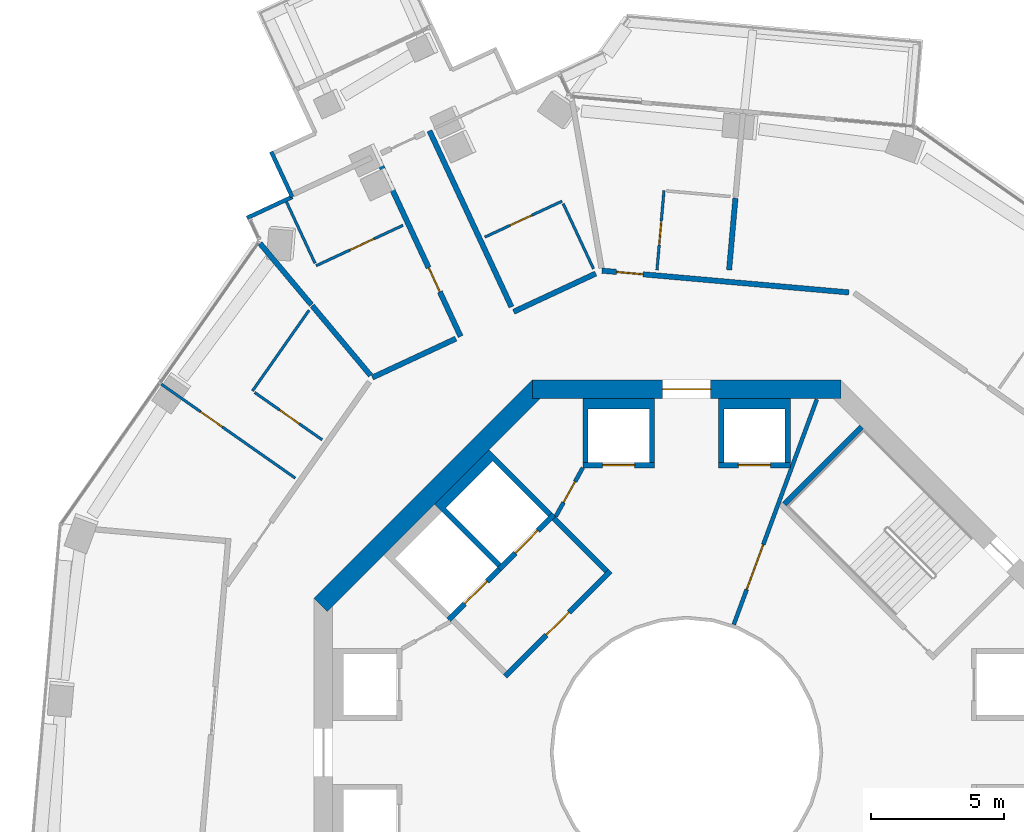
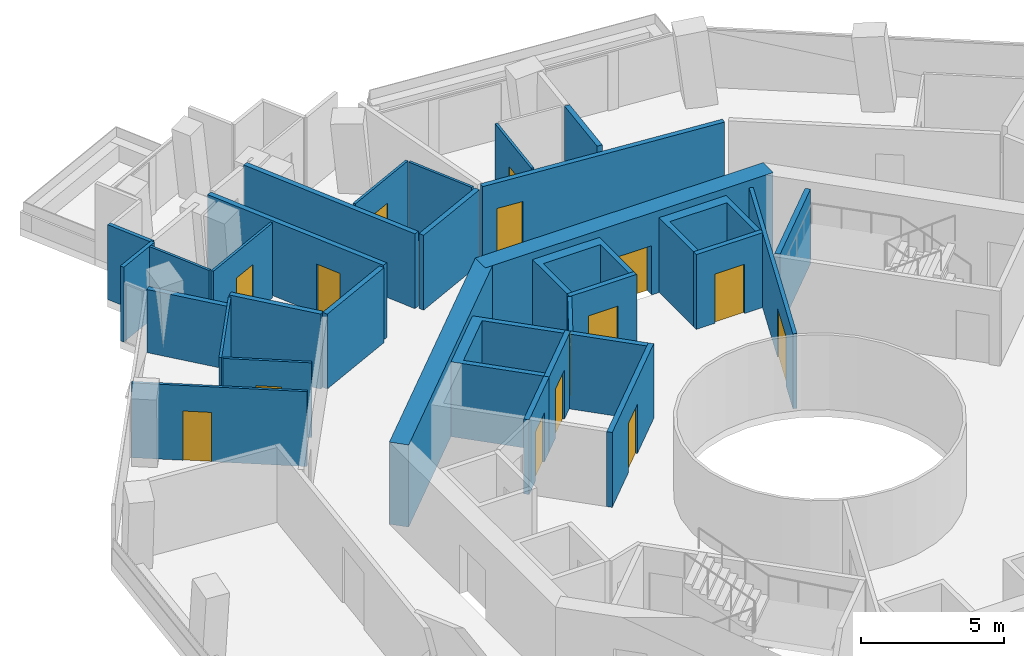
# One storey, part 18 of 23: 32 walls, 15 doors, 15 openings.
"""IFC4 building model written with IfcOpenShell, lengths in metres."""

from ifc_helpers import new_model, si_unit, direction, frame, frame_2d, origin, place, context, subcontext, project, spatial, polyline, rectangle, outline, extrude, material, layer, layer_set, type_object, element, fill, save


model = new_model("IFC4")

# Units and contexts
model_context = context("Model", 3, precision=1e-05, world=origin(), true_north=direction((0.0, 1.0)))
body_context = subcontext(model_context, "Body", "Model", "MODEL_VIEW")
ifc_project = project(units=[si_unit("LENGTHUNIT", "METRE"), si_unit("AREAUNIT", "SQUARE_METRE"), si_unit("VOLUMEUNIT", "CUBIC_METRE"), si_unit("PLANEANGLEUNIT", "RADIAN"), si_unit("MASSUNIT", "GRAM", prefix="KILO")], contexts=[model_context])

# Site, building, storey
site_placement = place(None, origin())
site = spatial("IfcSite", under=ifc_project, at=site_placement, CompositionType="ELEMENT")
building_placement = place(site_placement, origin())
building = spatial("IfcBuilding", under=site, at=building_placement, Name="Verdalira Terraces Hotel", CompositionType="ELEMENT")
storey_placement = place(building_placement, frame((0.0, 0.0, 136.5)))
storey = spatial("IfcBuildingStorey", under=building, at=storey_placement, Name="L32", CompositionType="ELEMENT", Elevation=136.5)

# Wall, opening, door
ifc_material_1 = material(Name="Moisture-resistant gypsum board partition")
ifc_layer_1 = layer(ifc_material_1, 0.10009765625)
ifc_layer_set_1 = layer_set([ifc_layer_1], Name="Bathroom partition 100 mm")
wall_type_1 = type_object("IfcWallType", Name="Bathroom partition 100 mm", PredefinedType="PARTITIONING", material=ifc_layer_set_1)
wall_1_placement = place(storey_placement, frame((-19.73877, 13.841797, 0.0), z_axis=(0.0, 0.0, 1.0), x_axis=(0.818756071, -0.57414153, 0.0)))
wall_1 = element("IfcWall", 1, at=wall_1_placement, inside=storey, type_object=wall_type_1, Name="Bathroom partition", PredefinedType="PARTITIONING", context=body_context, shape_type="SweptSolid", body=[
    extrude(rectangle(XDim=6.150146, YDim=0.100098, at=frame_2d((3.075195, 0.0))), origin(), (0.0, 0.0, 1.0), 3.189941),
])
opening_1_placement = place(wall_1_placement, frame((1.800049, 0.0, 0.0)))
opening_1 = element("IfcOpeningElement", 2, at=opening_1_placement, cuts=wall_1, Name="Opening L32-107", PredefinedType="OPENING", context=body_context, shape_type="SweptSolid", body=[
    extrude(rectangle(XDim=1.0, YDim=2.100098, at=frame_2d((0.5, 1.050049))), frame((0.0, 0.060059, 0.0), z_axis=(0.0, -1.0, 0.0), x_axis=(1.0, 0.0, 0.0)), (0.0, 0.0, 1.0), 0.120117),
])
ifc_material_2 = material(Name="Timber door", Category="wood")
door_type_1 = type_object("IfcDoorType", Name="Suite internal door 1000 x 2100", OperationType="NOTDEFINED", PredefinedType="DOOR", material=ifc_material_2)
door_1_placement = place(opening_1_placement, origin())
door_1 = element("IfcDoor", 3, at=door_1_placement, inside=storey, type_object=door_type_1, Name="Suite internal door 3203", OperationType="SINGLE_SWING_LEFT", OverallHeight=2.10009765625, OverallWidth=1.0, PredefinedType="DOOR", context=body_context, shape_type="SweptSolid", body=[
    extrude(rectangle(XDim=1.0, YDim=2.100098, at=frame_2d((0.5, 1.050049))), frame((0.0, 0.024902, 0.0), z_axis=(0.0, -1.0, 0.0), x_axis=(1.0, 0.0, 0.0)), (0.0, 0.0, 1.0), 0.050049),
])
fill(opening_1, door_1)

# Wall
wall_2_placement = place(storey_placement, frame((-14.187256, 16.620361, 0.0), z_axis=(0.0, 0.0, 1.0), x_axis=(-0.574152218, -0.818748576, 0.0)))
element("IfcWall", 4, at=wall_2_placement, inside=storey, type_object=wall_type_1, Name="Bathroom partition", PredefinedType="PARTITIONING", context=body_context, shape_type="SweptSolid", body=[
    extrude(rectangle(XDim=3.704102, YDim=0.100098, at=frame_2d((1.852051, 0.0))), origin(), (0.0, 0.0, 1.0), 3.189941),
])

# Wall, opening, door
wall_3_placement = place(storey_placement, frame((-16.231934, 13.530273, 0.0), z_axis=(0.0, 0.0, 1.0), x_axis=(0.818758042, -0.574138719, 0.0)))
wall_3 = element("IfcWall", 5, at=wall_3_placement, inside=storey, type_object=wall_type_1, Name="Bathroom partition", PredefinedType="PARTITIONING", context=body_context, shape_type="SweptSolid", body=[
    extrude(rectangle(XDim=3.099854, YDim=0.100098, at=frame_2d((1.549805, 0.0))), origin(), (0.0, 0.0, 1.0), 3.189941),
])
opening_2_placement = place(wall_3_placement, frame((1.149902, 0.0, 0.0)))
opening_2 = element("IfcOpeningElement", 6, at=opening_2_placement, cuts=wall_3, Name="Opening L32-108", PredefinedType="OPENING", context=body_context, shape_type="SweptSolid", body=[
    extrude(rectangle(XDim=0.899902, YDim=2.100098, at=frame_2d((0.449951, 1.050049))), frame((0.0, 0.060059, 0.0), z_axis=(0.0, -1.0, 0.0), x_axis=(1.0, 0.0, 0.0)), (0.0, 0.0, 1.0), 0.120117),
])
ifc_material_3 = material(Name="Timber door", Category="wood")
door_type_2 = type_object("IfcDoorType", Name="Bathroom door 900 x 2100", OperationType="NOTDEFINED", PredefinedType="DOOR", material=ifc_material_3)
door_2_placement = place(opening_2_placement, origin())
door_2 = element("IfcDoor", 7, at=door_2_placement, inside=storey, type_object=door_type_2, Name="Bathroom door 3203", OperationType="SINGLE_SWING_LEFT", OverallHeight=2.10009765625, OverallWidth=0.89990234375, PredefinedType="DOOR", context=body_context, shape_type="SweptSolid", body=[
    extrude(rectangle(XDim=0.899902, YDim=2.100098, at=frame_2d((0.449951, 1.050049))), frame((0.0, 0.024902, 0.0), z_axis=(0.0, -1.0, 0.0), x_axis=(1.0, 0.0, 0.0)), (0.0, 0.0, 1.0), 0.050049),
])
fill(opening_2, door_2)

# Wall
wall_4_placement = place(storey_placement, frame((-13.96167, 18.383789, 0.0), z_axis=(0.0, 0.0, 1.0), x_axis=(-0.421952243, 0.906618059, 0.0)))
element("IfcWall", 8, at=wall_4_placement, inside=storey, type_object=wall_type_1, Name="Bathroom partition", PredefinedType="PARTITIONING", context=body_context, shape_type="SweptSolid", body=[
    extrude(rectangle(XDim=2.549805, YDim=0.100098, at=frame_2d((1.274902, 0.0))), origin(), (0.0, 0.0, 1.0), 3.189941),
])

# Wall, opening, door
wall_5_placement = place(storey_placement, frame((-13.919434, 18.293213, 0.0), z_axis=(0.0, 0.0, 1.0), x_axis=(0.906608902, 0.421971917, 0.0)))
wall_5 = element("IfcWall", 9, at=wall_5_placement, inside=storey, type_object=wall_type_1, Name="Bathroom partition", PredefinedType="PARTITIONING", context=body_context, shape_type="SweptSolid", body=[
    extrude(rectangle(XDim=3.599854, YDim=0.100098, at=frame_2d((1.799805, 0.0))), origin(), (0.0, 0.0, 1.0), 3.189941),
])
opening_3_placement = place(wall_5_placement, frame((1.399902, 0.0, 0.0)))
opening_3 = element("IfcOpeningElement", 10, at=opening_3_placement, cuts=wall_5, Name="Opening L32-105", PredefinedType="OPENING", context=body_context, shape_type="SweptSolid", body=[
    extrude(rectangle(XDim=1.0, YDim=2.100098, at=frame_2d((0.5, 1.050049))), frame((0.0, 0.060059, 0.0), z_axis=(0.0, -1.0, 0.0), x_axis=(1.0, 0.0, 0.0)), (0.0, 0.0, 1.0), 0.120117),
])
ifc_material_4 = material(Name="Timber door", Category="wood")
door_type_3 = type_object("IfcDoorType", Name="Bathroom door 1000 x 2100", OperationType="NOTDEFINED", PredefinedType="DOOR", material=ifc_material_4)
door_3_placement = place(opening_3_placement, origin())
door_3 = element("IfcDoor", 11, at=door_3_placement, inside=storey, type_object=door_type_3, Name="Bathroom door 3202", OperationType="SINGLE_SWING_LEFT", OverallHeight=2.10009765625, OverallWidth=1.0, PredefinedType="DOOR", context=body_context, shape_type="SweptSolid", body=[
    extrude(rectangle(XDim=1.0, YDim=2.100098, at=frame_2d((0.5, 1.050049))), frame((0.0, 0.024902, 0.0), z_axis=(0.0, -1.0, 0.0), x_axis=(1.0, 0.0, 0.0)), (0.0, 0.0, 1.0), 0.050049),
])
fill(opening_3, door_3)

wall_6_placement = place(storey_placement, frame((-4.679932, 20.718506, 0.0), z_axis=(0.0, 0.0, 1.0), x_axis=(-0.906603701, -0.421983091, 0.0)))
wall_6 = element("IfcWall", 12, at=wall_6_placement, inside=storey, type_object=wall_type_1, Name="Bathroom partition", PredefinedType="PARTITIONING", context=body_context, shape_type="SweptSolid", body=[
    extrude(rectangle(XDim=3.199951, YDim=0.100098, at=frame_2d((1.600098, 0.0))), origin(), (0.0, 0.0, 1.0), 3.189941),
])
opening_4_placement = place(wall_6_placement, frame((1.25, 0.0, 0.0)))
opening_4 = element("IfcOpeningElement", 13, at=opening_4_placement, cuts=wall_6, Name="Opening L32-103", PredefinedType="OPENING", context=body_context, shape_type="SweptSolid", body=[
    extrude(rectangle(XDim=0.899902, YDim=2.100098, at=frame_2d((0.449951, 1.050049))), frame((0.0, 0.060059, 0.0), z_axis=(0.0, -1.0, 0.0), x_axis=(1.0, 0.0, 0.0)), (0.0, 0.0, 1.0), 0.120117),
])
door_4_placement = place(opening_4_placement, origin())
door_4 = element("IfcDoor", 14, at=door_4_placement, inside=storey, type_object=door_type_2, Name="Bathroom door 3201", OperationType="SINGLE_SWING_LEFT", OverallHeight=2.10009765625, OverallWidth=0.89990234375, PredefinedType="DOOR", context=body_context, shape_type="SweptSolid", body=[
    extrude(rectangle(XDim=0.899902, YDim=2.100098, at=frame_2d((0.449951, 1.050049))), frame((0.0, 0.024902, 0.0), z_axis=(0.0, -1.0, 0.0), x_axis=(1.0, 0.0, 0.0)), (0.0, 0.0, 1.0), 0.050049),
])
fill(opening_4, door_4)

# Wall
wall_7_placement = place(storey_placement, frame((-3.498291, 18.179932, 0.0), z_axis=(0.0, 0.0, 1.0), x_axis=(-0.422009078, 0.906591605, 0.0)))
element("IfcWall", 15, at=wall_7_placement, inside=storey, type_object=wall_type_1, Name="Bathroom partition", PredefinedType="PARTITIONING", context=body_context, shape_type="SweptSolid", body=[
    extrude(rectangle(XDim=2.699951, YDim=0.100098, at=frame_2d((1.350098, 0.0))), origin(), (0.0, 0.0, 1.0), 3.189941),
])

# Wall, opening, door
wall_8_placement = place(storey_placement, frame((-0.848389, 21.114502, 0.0), z_axis=(0.0, 0.0, 1.0), x_axis=(-0.087813055, -0.996136972, 0.0)))
wall_8 = element("IfcWall", 16, at=wall_8_placement, inside=storey, type_object=wall_type_1, Name="Bathroom partition", PredefinedType="PARTITIONING", context=body_context, shape_type="SweptSolid", body=[
    extrude(rectangle(XDim=2.999756, YDim=0.100098, at=frame_2d((1.5, 0.0))), origin(), (0.0, 0.0, 1.0), 3.189941),
])
opening_5_placement = place(wall_8_placement, frame((1.149902, 0.0, 0.0)))
opening_5 = element("IfcOpeningElement", 17, at=opening_5_placement, cuts=wall_8, Name="Opening L32-132", PredefinedType="OPENING", context=body_context, shape_type="SweptSolid", body=[
    extrude(rectangle(XDim=0.899902, YDim=2.100098, at=frame_2d((0.449951, 1.050049))), frame((0.0, 0.060059, 0.0), z_axis=(0.0, -1.0, 0.0), x_axis=(1.0, 0.0, 0.0)), (0.0, 0.0, 1.0), 0.120117),
])
door_5_placement = place(opening_5_placement, origin())
door_5 = element("IfcDoor", 18, at=door_5_placement, inside=storey, type_object=door_type_2, Name="Bathroom door 3212", OperationType="SINGLE_SWING_LEFT", OverallHeight=2.10009765625, OverallWidth=0.89990234375, PredefinedType="DOOR", context=body_context, shape_type="SweptSolid", body=[
    extrude(rectangle(XDim=0.899902, YDim=2.100098, at=frame_2d((0.449951, 1.050049))), frame((0.0, 0.024902, 0.0), z_axis=(0.0, -1.0, 0.0), x_axis=(1.0, 0.0, 0.0)), (0.0, 0.0, 1.0), 0.050049),
])
fill(opening_5, door_5)

# Wall
ifc_material_5 = material(Name="Concrete C50", Category="concrete")
ifc_layer_2 = layer(ifc_material_5, 0.199951171875)
ifc_layer_set_2 = layer_set([ifc_layer_2], Name="Core RC wall 200 C50")
wall_type_2 = type_object("IfcWallType", Name="Core RC wall 200 C50", PredefinedType="SOLIDWALL", material=ifc_layer_set_2)
wall_9_placement = place(storey_placement, origin())
element("IfcWall", 19, at=wall_9_placement, inside=storey, type_object=wall_type_2, Name="L32 shaft wall N1", PredefinedType="SOLIDWALL", context=body_context, shape_type="SweptSolid", body=[
    extrude(outline(polyline([(3.899902, 13.300049), (3.899902, 10.899902), (3.699951, 10.899902), (3.699951, 12.899902), (1.399902, 12.899902), (1.399902, 10.899902), (1.199951, 10.899902), (1.199951, 13.300049), (3.899902, 13.300049)])), origin(), (0.0, 0.0, 1.0), 3.189941),
])

# Wall, opening, door
wall_10_placement = place(storey_placement, frame((1.199951, 10.800049, 0.0), z_axis=(0.0, 0.0, 1.0), x_axis=(1.0, 0.0, 0.0)))
wall_10 = element("IfcWall", 20, at=wall_10_placement, inside=storey, type_object=wall_type_2, Name="L32 shaft front wall N1", PredefinedType="SOLIDWALL", context=body_context, shape_type="SweptSolid", body=[
    extrude(rectangle(XDim=2.699951, YDim=0.199951, at=frame_2d((1.350098, 0.0))), origin(), (0.0, 0.0, 1.0), 3.189941),
])
opening_6_placement = place(wall_10_placement, frame((0.75, 0.0, 0.0)))
opening_6 = element("IfcOpeningElement", 21, at=opening_6_placement, cuts=wall_10, Name="Opening LD-L32-803", PredefinedType="OPENING", context=body_context, shape_type="SweptSolid", body=[
    extrude(rectangle(XDim=1.199951, YDim=2.100098, at=frame_2d((0.600098, 1.050049))), frame((0.0, 0.109863, 0.0), z_axis=(0.0, -1.0, 0.0), x_axis=(1.0, 0.0, 0.0)), (0.0, 0.0, 1.0), 0.219971),
])
ifc_material_6 = material(Name="Stainless steel", Category="steel")
door_type_4 = type_object("IfcDoorType", Name="Landing door 1200 x 2100", OperationType="NOTDEFINED", PredefinedType="DOOR", material=ifc_material_6)
door_6_placement = place(opening_6_placement, origin())
door_6 = element("IfcDoor", 22, at=door_6_placement, inside=storey, type_object=door_type_4, Name="Lift landing door LR3 L32", OperationType="DOUBLE_DOOR_SLIDING", OverallHeight=2.10009765625, OverallWidth=1.199951171875, PredefinedType="DOOR", context=body_context, shape_type="SweptSolid", body=[
    extrude(rectangle(XDim=1.199951, YDim=2.100098, at=frame_2d((0.600098, 1.050049))), frame((0.0, 0.024902, 0.0), z_axis=(0.0, -1.0, 0.0), x_axis=(1.0, 0.0, 0.0)), (0.0, 0.0, 1.0), 0.050049),
])
fill(opening_6, door_6)

# Wall
wall_11_placement = place(storey_placement, origin())
element("IfcWall", 23, at=wall_11_placement, inside=storey, type_object=wall_type_2, Name="L32 shaft wall N2", PredefinedType="SOLIDWALL", context=body_context, shape_type="SweptSolid", body=[
    extrude(outline(polyline([(-3.899902, 10.899902), (-3.899902, 13.300049), (-1.199951, 13.300049), (-1.199951, 10.899902), (-1.399902, 10.899902), (-1.399902, 12.899902), (-3.699951, 12.899902), (-3.699951, 10.899902), (-3.899902, 10.899902)])), origin(), (0.0, 0.0, 1.0), 3.189941),
])

# Wall, opening, door
wall_12_placement = place(storey_placement, frame((-1.199951, 10.800049, 0.0), z_axis=(0.0, 0.0, 1.0), x_axis=(-1.0, 0.0, 0.0)))
wall_12 = element("IfcWall", 24, at=wall_12_placement, inside=storey, type_object=wall_type_2, Name="L32 shaft front wall N2", PredefinedType="SOLIDWALL", context=body_context, shape_type="SweptSolid", body=[
    extrude(rectangle(XDim=2.699951, YDim=0.199951, at=frame_2d((1.350098, 0.0))), origin(), (0.0, 0.0, 1.0), 3.189941),
])
opening_7_placement = place(wall_12_placement, frame((0.75, 0.0, 0.0)))
opening_7 = element("IfcOpeningElement", 25, at=opening_7_placement, cuts=wall_12, Name="Opening LD-L32-804", PredefinedType="OPENING", context=body_context, shape_type="SweptSolid", body=[
    extrude(rectangle(XDim=1.199951, YDim=2.100098, at=frame_2d((0.600098, 1.050049))), frame((0.0, 0.109863, 0.0), z_axis=(0.0, -1.0, 0.0), x_axis=(1.0, 0.0, 0.0)), (0.0, 0.0, 1.0), 0.219971),
])
door_7_placement = place(opening_7_placement, origin())
door_7 = element("IfcDoor", 26, at=door_7_placement, inside=storey, type_object=door_type_4, Name="Lift landing door LR4 L32", OperationType="DOUBLE_DOOR_SLIDING", OverallHeight=2.10009765625, OverallWidth=1.199951171875, PredefinedType="DOOR", context=body_context, shape_type="SweptSolid", body=[
    extrude(rectangle(XDim=1.199951, YDim=2.100098, at=frame_2d((0.600098, 1.050049))), frame((0.0, 0.024902, 0.0), z_axis=(0.0, -1.0, 0.0), x_axis=(1.0, 0.0, 0.0)), (0.0, 0.0, 1.0), 0.050049),
])
fill(opening_7, door_7)

# Wall
wall_13_placement = place(storey_placement, origin())
element("IfcWall", 27, at=wall_13_placement, inside=storey, type_object=wall_type_2, Name="L32 shaft wall F1", PredefinedType="SOLIDWALL", context=body_context, shape_type="SweptSolid", body=[
    extrude(outline(polyline([(-9.475098, 9.33374), (-7.424561, 11.384521), (-5.055908, 9.015625), (-5.197266, 8.874268), (-7.283203, 10.960205), (-9.051025, 9.192383), (-6.965088, 7.106445), (-7.106445, 6.965088), (-9.475098, 9.33374)])), origin(), (0.0, 0.0, 1.0), 3.189941),
])

# Wall, opening, door
wall_14_placement = place(storey_placement, frame((-4.985107, 8.944824, 0.0), z_axis=(0.0, 0.0, 1.0), x_axis=(-0.707106781, -0.707106781, 0.0)))
wall_14 = element("IfcWall", 28, at=wall_14_placement, inside=storey, type_object=wall_type_2, Name="L32 shaft front wall F1", PredefinedType="SOLIDWALL", context=body_context, shape_type="SweptSolid", body=[
    extrude(rectangle(XDim=2.899902, YDim=0.199951, at=frame_2d((1.449951, 0.0))), origin(), (0.0, 0.0, 1.0), 3.189941),
])
opening_8_placement = place(wall_14_placement, frame((0.850098, 0.0, 0.0)))
opening_8 = element("IfcOpeningElement", 29, at=opening_8_placement, cuts=wall_14, Name="Opening LD-L32-807", PredefinedType="OPENING", context=body_context, shape_type="SweptSolid", body=[
    extrude(rectangle(XDim=1.199951, YDim=2.100098, at=frame_2d((0.600098, 1.050049))), frame((0.0, 0.109863, 0.0), z_axis=(0.0, -1.0, 0.0), x_axis=(1.0, 0.0, 0.0)), (0.0, 0.0, 1.0), 0.219971),
])
door_8_placement = place(opening_8_placement, origin())
door_8 = element("IfcDoor", 30, at=door_8_placement, inside=storey, type_object=door_type_4, Name="Lift landing door LF11 L32", OperationType="DOUBLE_DOOR_SLIDING", OverallHeight=2.10009765625, OverallWidth=1.199951171875, PredefinedType="DOOR", context=body_context, shape_type="SweptSolid", body=[
    extrude(rectangle(XDim=1.199951, YDim=2.100098, at=frame_2d((0.600098, 1.050049))), frame((0.0, 0.024902, 0.0), z_axis=(0.0, -1.0, 0.0), x_axis=(1.0, 0.0, 0.0)), (0.0, 0.0, 1.0), 0.050049),
])
fill(opening_8, door_8)

wall_15_placement = place(storey_placement, frame((-7.035645, 6.894287, 0.0), z_axis=(0.0, 0.0, 1.0), x_axis=(-0.707106781, -0.707106781, 0.0)))
wall_15 = element("IfcWall", 31, at=wall_15_placement, inside=storey, type_object=wall_type_2, Name="L32 shaft front wall F2", PredefinedType="SOLIDWALL", context=body_context, shape_type="SweptSolid", body=[
    extrude(rectangle(XDim=2.699951, YDim=0.199951, at=frame_2d((1.350098, 0.0))), origin(), (0.0, 0.0, 1.0), 3.189941),
])
opening_9_placement = place(wall_15_placement, frame((0.649902, 0.0, 0.0)))
opening_9 = element("IfcOpeningElement", 32, at=opening_9_placement, cuts=wall_15, Name="Opening LD-L32-808", PredefinedType="OPENING", context=body_context, shape_type="SweptSolid", body=[
    extrude(rectangle(XDim=1.199951, YDim=2.100098, at=frame_2d((0.600098, 1.050049))), frame((0.0, 0.109863, 0.0), z_axis=(0.0, -1.0, 0.0), x_axis=(1.0, 0.0, 0.0)), (0.0, 0.0, 1.0), 0.219971),
])
door_9_placement = place(opening_9_placement, origin())
door_9 = element("IfcDoor", 33, at=door_9_placement, inside=storey, type_object=door_type_4, Name="Lift landing door LF12 L32", OperationType="DOUBLE_DOOR_SLIDING", OverallHeight=2.10009765625, OverallWidth=1.199951171875, PredefinedType="DOOR", context=body_context, shape_type="SweptSolid", body=[
    extrude(rectangle(XDim=1.199951, YDim=2.100098, at=frame_2d((0.600098, 1.050049))), frame((0.0, 0.024902, 0.0), z_axis=(0.0, -1.0, 0.0), x_axis=(1.0, 0.0, 0.0)), (0.0, 0.0, 1.0), 0.050049),
])
fill(opening_9, door_9)

# Wall
wall_16_placement = place(storey_placement, frame((3.677002, 9.33374, 0.0), z_axis=(0.0, 0.0, 1.0), x_axis=(0.707106781, 0.707106781, 0.0)))
element("IfcWall", 34, at=wall_16_placement, inside=storey, type_object=wall_type_2, Name="L32 stair ST1 end wall 2", PredefinedType="SOLIDWALL", context=body_context, shape_type="SweptSolid", body=[
    extrude(rectangle(XDim=4.100098, YDim=0.199951, at=frame_2d((2.050049, 0.0))), origin(), (0.0, 0.0, 1.0), 3.189941),
])

# Wall, opening, door
wall_17_placement = place(storey_placement, frame((-2.86377, 6.823486, 0.0), z_axis=(0.0, 0.0, 1.0), x_axis=(-0.707106781, -0.707106781, 0.0)))
wall_17 = element("IfcWall", 35, at=wall_17_placement, inside=storey, type_object=wall_type_2, Name="L32 fire lobby wall", PredefinedType="SOLIDWALL", context=body_context, shape_type="SweptSolid", body=[
    extrude(rectangle(XDim=5.599854, YDim=0.199951, at=frame_2d((2.799805, 0.0))), origin(), (0.0, 0.0, 1.0), 3.189941),
])
opening_10_placement = place(wall_17_placement, frame((2.199951, 0.0, 0.0)))
opening_10 = element("IfcOpeningElement", 36, at=opening_10_placement, cuts=wall_17, Name="Opening L32-819", PredefinedType="OPENING", context=body_context, shape_type="SweptSolid", body=[
    extrude(rectangle(XDim=1.199951, YDim=2.100098, at=frame_2d((0.600098, 1.050049))), frame((0.0, 0.109863, 0.0), z_axis=(0.0, -1.0, 0.0), x_axis=(1.0, 0.0, 0.0)), (0.0, 0.0, 1.0), 0.219971),
])
ifc_material_7 = material(Name="Steel fire door", Category="steel")
door_type_5 = type_object("IfcDoorType", Name="Lobby door 1200 x 2100", OperationType="NOTDEFINED", PredefinedType="DOOR", material=ifc_material_7)
door_10_placement = place(opening_10_placement, origin())
door_10 = element("IfcDoor", 37, at=door_10_placement, inside=storey, type_object=door_type_5, Name="Fire lobby door L32", OperationType="SINGLE_SWING_LEFT", OverallHeight=2.10009765625, OverallWidth=1.199951171875, PredefinedType="DOOR", context=body_context, shape_type="SweptSolid", body=[
    extrude(rectangle(XDim=1.199951, YDim=2.100098, at=frame_2d((0.600098, 1.050049))), frame((0.0, 0.024902, 0.0), z_axis=(0.0, -1.0, 0.0), x_axis=(1.0, 0.0, 0.0)), (0.0, 0.0, 1.0), 0.050049),
])
fill(opening_10, door_10)

# Wall
wall_18_placement = place(storey_placement, frame((-3.005127, 6.823486, 0.0), z_axis=(0.0, 0.0, 1.0), x_axis=(-0.707106781, 0.707106781, 0.0)))
element("IfcWall", 38, at=wall_18_placement, inside=storey, type_object=wall_type_2, Name="L32 fire lobby wall", PredefinedType="SOLIDWALL", context=body_context, shape_type="SweptSolid", body=[
    extrude(rectangle(XDim=2.800049, YDim=0.199951, at=frame_2d((1.399902, 0.0))), origin(), (0.0, 0.0, 1.0), 3.189941),
])

# Wall, opening, door
ifc_material_8 = material(Name="Gypsum board partition")
ifc_layer_3 = layer(ifc_material_8, 0.14990234375)
ifc_layer_set_3 = layer_set([ifc_layer_3], Name="Core partition 150 mm")
wall_type_3 = type_object("IfcWallType", Name="Core partition 150 mm", PredefinedType="PARTITIONING", material=ifc_layer_set_3)
wall_19_placement = place(storey_placement, frame((-3.899902, 10.699951, 0.0), z_axis=(0.0, 0.0, 1.0), x_axis=(-0.485692555, -0.874129705, 0.0)))
wall_19 = element("IfcWall", 39, at=wall_19_placement, inside=storey, type_object=wall_type_3, Name="Room partition L32", PredefinedType="PARTITIONING", context=body_context, shape_type="SweptSolid", body=[
    extrude(rectangle(XDim=2.088623, YDim=0.149902, at=frame_2d((1.044434, 0.0))), origin(), (0.0, 0.0, 1.0), 3.189941),
])
opening_11_placement = place(wall_19_placement, frame((0.594238, 0.0, 0.0)))
opening_11 = element("IfcOpeningElement", 40, at=opening_11_placement, cuts=wall_19, Name="Opening L32-820", PredefinedType="OPENING", context=body_context, shape_type="SweptSolid", body=[
    extrude(rectangle(XDim=0.899902, YDim=2.100098, at=frame_2d((0.449951, 1.050049))), frame((0.0, 0.084961, 0.0), z_axis=(0.0, -1.0, 0.0), x_axis=(1.0, 0.0, 0.0)), (0.0, 0.0, 1.0), 0.169922),
])
ifc_material_9 = material(Name="Steel fire door", Category="steel")
door_type_6 = type_object("IfcDoorType", Name="Core room door 900 x 2100", OperationType="NOTDEFINED", PredefinedType="DOOR", material=ifc_material_9)
door_11_placement = place(opening_11_placement, origin())
door_11 = element("IfcDoor", 41, at=door_11_placement, inside=storey, type_object=door_type_6, Name="Door L32 room2", OperationType="SINGLE_SWING_LEFT", OverallHeight=2.10009765625, OverallWidth=0.89990234375, PredefinedType="DOOR", context=body_context, shape_type="SweptSolid", body=[
    extrude(rectangle(XDim=0.899902, YDim=2.100098, at=frame_2d((0.449951, 1.050049))), frame((0.0, 0.024902, 0.0), z_axis=(0.0, -1.0, 0.0), x_axis=(1.0, 0.0, 0.0)), (0.0, 0.0, 1.0), 0.050049),
])
fill(opening_11, door_11)

wall_20_placement = place(storey_placement, frame((1.775635, 4.812988, 0.0), z_axis=(0.0, 0.0, 1.0), x_axis=(0.346109381, 0.938194168, 0.0)))
wall_20 = element("IfcWall", 42, at=wall_20_placement, inside=storey, type_object=wall_type_3, Name="Gallery fire partition L32", PredefinedType="PARTITIONING", context=body_context, shape_type="SweptSolid", body=[
    extrude(rectangle(XDim=9.016357, YDim=0.149902, at=frame_2d((4.508301, 0.0))), origin(), (0.0, 0.0, 1.0), 3.189941),
])
opening_12_placement = place(wall_20_placement, frame((1.399902, 0.0, 0.0)))
opening_12 = element("IfcOpeningElement", 43, at=opening_12_placement, cuts=wall_20, Name="Opening L32-824", PredefinedType="OPENING", context=body_context, shape_type="SweptSolid", body=[
    extrude(rectangle(XDim=1.800049, YDim=2.100098, at=frame_2d((0.899902, 1.050049))), frame((0.0, 0.084961, 0.0), z_axis=(0.0, -1.0, 0.0), x_axis=(1.0, 0.0, 0.0)), (0.0, 0.0, 1.0), 0.169922),
])
ifc_material_10 = material(Name="Steel fire door", Category="steel")
door_type_7 = type_object("IfcDoorType", Name="Gallery fire door pair 1800 x 2100", OperationType="NOTDEFINED", PredefinedType="DOOR", material=ifc_material_10)
door_12_placement = place(opening_12_placement, origin())
door_12 = element("IfcDoor", 44, at=door_12_placement, inside=storey, type_object=door_type_7, Name="Door L32 split1", OperationType="DOUBLE_DOOR_SINGLE_SWING", OverallHeight=2.10009765625, OverallWidth=1.800048828125, PredefinedType="DOOR", context=body_context, shape_type="SweptSolid", body=[
    extrude(rectangle(XDim=1.800049, YDim=2.100098, at=frame_2d((0.899902, 1.050049))), frame((0.0, 0.024902, 0.0), z_axis=(0.0, -1.0, 0.0), x_axis=(1.0, 0.0, 0.0)), (0.0, 0.0, 1.0), 0.050049),
])
fill(opening_12, door_12)

ifc_material_11 = material(Name="Concrete C60", Category="concrete")
ifc_layer_4 = layer(ifc_material_11, 0.699951171875)
ifc_layer_set_4 = layer_set([ifc_layer_4], Name="Core wall 700 C60")
wall_type_4 = type_object("IfcWallType", Name="Core wall 700 C60", PredefinedType="SHEAR", material=ifc_layer_set_4)
wall_21_placement = place(storey_placement, frame((5.799072, 13.649902, 0.0), z_axis=(0.0, 0.0, 1.0), x_axis=(-1.0, 0.0, 0.0)))
wall_21 = element("IfcWall", 45, at=wall_21_placement, inside=storey, type_object=wall_type_4, Name="Core wall CW-L32-3", PredefinedType="SHEAR", context=body_context, shape_type="SweptSolid", body=[
    extrude(rectangle(XDim=11.598145, YDim=0.699951, at=frame_2d((5.799072, 0.0))), origin(), (0.0, 0.0, 1.0), 3.5),
])
opening_13_placement = place(wall_21_placement, frame((4.898926, 0.0, 0.0)))
opening_13 = element("IfcOpeningElement", 46, at=opening_13_placement, cuts=wall_21, Name="Opening L32-813", PredefinedType="OPENING", context=body_context, shape_type="SweptSolid", body=[
    extrude(rectangle(XDim=1.800049, YDim=2.100098, at=frame_2d((0.899902, 1.050049))), frame((0.0, 0.359863, 0.0), z_axis=(0.0, -1.0, 0.0), x_axis=(1.0, 0.0, 0.0)), (0.0, 0.0, 1.0), 0.719971),
])
ifc_material_12 = material(Name="Steel fire door", Category="steel")
door_type_8 = type_object("IfcDoorType", Name="Core entry door pair 1800 x 2100", OperationType="NOTDEFINED", PredefinedType="DOOR", material=ifc_material_12)
door_13_placement = place(opening_13_placement, origin())
door_13 = element("IfcDoor", 47, at=door_13_placement, inside=storey, type_object=door_type_8, Name="Core entry door L32 2", OperationType="DOUBLE_DOOR_SINGLE_SWING", OverallHeight=2.10009765625, OverallWidth=1.800048828125, PredefinedType="DOOR", context=body_context, shape_type="SweptSolid", body=[
    extrude(rectangle(XDim=1.800049, YDim=2.100098, at=frame_2d((0.899902, 1.050049))), frame((0.0, 0.024902, 0.0), z_axis=(0.0, -1.0, 0.0), x_axis=(1.0, 0.0, 0.0)), (0.0, 0.0, 1.0), 0.050049),
])
fill(opening_13, door_13)

# Walls
wall_22_placement = place(storey_placement, frame((-5.551514, 13.752441, 0.0), z_axis=(0.0, 0.0, 1.0), x_axis=(-0.707106781, -0.707106781, 0.0)))
element("IfcWall", 48, at=wall_22_placement, inside=storey, type_object=wall_type_4, Name="Core wall CW-L32-4", PredefinedType="SHEAR", context=body_context, shape_type="SweptSolid", body=[
    extrude(rectangle(XDim=11.5979, YDim=0.699951, at=frame_2d((5.798828, 0.0))), origin(), (0.0, 0.0, 1.0), 3.5),
])
ifc_material_13 = material(Name="Fire-rated gypsum board wall")
ifc_layer_5 = layer(ifc_material_13, 0.199951171875)
ifc_layer_set_5 = layer_set([ifc_layer_5], Name="Demising wall 200 mm")
wall_type_5 = type_object("IfcWallType", Name="Demising wall 200 mm", PredefinedType="SOLIDWALL", material=ifc_layer_set_5)
wall_23_placement = place(storey_placement, frame((-11.874268, 14.171143, 0.0), z_axis=(0.0, 0.0, 1.0), x_axis=(-0.642233473, 0.766509078, 0.0)))
element("IfcWall", 49, at=wall_23_placement, inside=storey, type_object=wall_type_5, Name="Demising wall", PredefinedType="SOLIDWALL", context=body_context, shape_type="SweptSolid", body=[
    extrude(rectangle(XDim=3.418213, YDim=0.199951, at=frame_2d((1.708984, 0.0))), origin(), (0.0, 0.0, 1.0), 3.189941),
])
wall_24_placement = place(storey_placement, frame((1.599365, 18.135254, 0.0), z_axis=(0.0, 0.0, 1.0), x_axis=(0.087825319, 0.996135891, 0.0)))
element("IfcWall", 50, at=wall_24_placement, inside=storey, type_object=wall_type_5, Name="Demising wall", PredefinedType="SOLIDWALL", context=body_context, shape_type="SweptSolid", body=[
    extrude(rectangle(XDim=2.704834, YDim=0.199951, at=frame_2d((1.352539, 0.0))), origin(), (0.0, 0.0, 1.0), 3.189941),
])
ifc_material_14 = material(Name="Fire-rated gypsum board wall")
ifc_layer_6 = layer(ifc_material_14, 0.199951171875)
ifc_layer_set_6 = layer_set([ifc_layer_6], Name="Demising wall 200 mm to beam soffit")
wall_type_6 = type_object("IfcWallType", Name="Demising wall 200 mm to beam soffit", PredefinedType="SOLIDWALL", material=ifc_layer_set_6)
wall_25_placement = place(storey_placement, frame((-14.099121, 16.826416, 0.0), z_axis=(0.0, 0.0, 1.0), x_axis=(-0.642231449, 0.766510774, 0.0)))
element("IfcWall", 51, at=wall_25_placement, inside=storey, type_object=wall_type_6, Name="Demising wall", PredefinedType="SOLIDWALL", context=body_context, shape_type="SweptSolid", body=[
    extrude(rectangle(XDim=3.011475, YDim=0.199951, at=frame_2d((1.505859, 0.0))), origin(), (0.0, 0.0, 1.0), 2.689941),
])
ifc_material_15 = material(Name="Fire-rated gypsum board wall")
ifc_layer_7 = layer(ifc_material_15, 0.199951171875)
ifc_layer_set_7 = layer_set([ifc_layer_7], Name="Guest corridor wall 200 mm")
wall_type_7 = type_object("IfcWallType", Name="Guest corridor wall 200 mm", PredefinedType="SOLIDWALL", material=ifc_layer_set_7)
wall_26_placement = place(storey_placement, frame((-8.672363, 15.55127, 0.0), z_axis=(0.0, 0.0, 1.0), x_axis=(-0.906586718, -0.422019576, 0.0)))
element("IfcWall", 52, at=wall_26_placement, inside=storey, type_object=wall_type_7, Name="Guest corridor wall", PredefinedType="SOLIDWALL", context=body_context, shape_type="SweptSolid", body=[
    extrude(rectangle(XDim=3.458252, YDim=0.199951, at=frame_2d((1.729004, 0.0))), origin(), (0.0, 0.0, 1.0), 3.189941),
])

# Wall, opening, door
wall_27_placement = place(storey_placement, frame((-8.490967, 15.635498, 0.0), z_axis=(0.0, 0.0, 1.0), x_axis=(-0.421999597, 0.906596018, 0.0)))
wall_27 = element("IfcWall", 53, at=wall_27_placement, inside=storey, type_object=wall_type_7, Name="Guest corridor wall", PredefinedType="SOLIDWALL", context=body_context, shape_type="SweptSolid", body=[
    extrude(rectangle(XDim=7.5, YDim=0.199951, at=frame_2d((3.75, 0.0))), origin(), (0.0, 0.0, 1.0), 3.189941),
])
opening_14_placement = place(wall_27_placement, frame((1.850098, 0.0, 0.0)))
opening_14 = element("IfcOpeningElement", 54, at=opening_14_placement, cuts=wall_27, Name="Opening L32-104", PredefinedType="OPENING", context=body_context, shape_type="SweptSolid", body=[
    extrude(rectangle(XDim=1.0, YDim=2.100098, at=frame_2d((0.5, 1.050049))), frame((0.0, 0.109863, 0.0), z_axis=(0.0, -1.0, 0.0), x_axis=(1.0, 0.0, 0.0)), (0.0, 0.0, 1.0), 0.219971),
])
ifc_material_16 = material(Name="Timber fire door", Category="wood")
door_type_9 = type_object("IfcDoorType", Name="Guest entry door 1000 x 2100", OperationType="NOTDEFINED", PredefinedType="DOOR", material=ifc_material_16)
door_14_placement = place(opening_14_placement, origin())
door_14 = element("IfcDoor", 55, at=door_14_placement, inside=storey, type_object=door_type_9, Name="Guest entry door 3202", OperationType="SINGLE_SWING_LEFT", OverallHeight=2.10009765625, OverallWidth=1.0, PredefinedType="DOOR", context=body_context, shape_type="SweptSolid", body=[
    extrude(rectangle(XDim=1.0, YDim=2.100098, at=frame_2d((0.5, 1.050049))), frame((0.0, 0.024902, 0.0), z_axis=(0.0, -1.0, 0.0), x_axis=(1.0, 0.0, 0.0)), (0.0, 0.0, 1.0), 0.050049),
])
fill(opening_14, door_14)

# Walls
wall_28_placement = place(storey_placement, frame((-6.580811, 16.745361, 0.0), z_axis=(0.0, 0.0, 1.0), x_axis=(-0.421995458, 0.906597945, 0.0)))
element("IfcWall", 56, at=wall_28_placement, inside=storey, type_object=wall_type_7, Name="Guest corridor wall", PredefinedType="SOLIDWALL", context=body_context, shape_type="SweptSolid", body=[
    extrude(rectangle(XDim=7.300049, YDim=0.199951, at=frame_2d((3.649902, 0.0))), origin(), (0.0, 0.0, 1.0), 3.189941),
])
wall_29_placement = place(storey_placement, frame((-3.414062, 17.998779, 0.0), z_axis=(0.0, 0.0, 1.0), x_axis=(-0.906599112, -0.42199295, 0.0)))
element("IfcWall", 57, at=wall_29_placement, inside=storey, type_object=wall_type_7, Name="Guest corridor wall", PredefinedType="SOLIDWALL", context=body_context, shape_type="SweptSolid", body=[
    extrude(rectangle(XDim=3.400146, YDim=0.199951, at=frame_2d((1.700195, 0.0))), origin(), (0.0, 0.0, 1.0), 3.189941),
])

# Wall, opening, door
wall_30_placement = place(storey_placement, frame((-3.179688, 18.107666, 0.0), z_axis=(0.0, 0.0, 1.0), x_axis=(0.996134235, -0.087844097, 0.0)))
wall_30 = element("IfcWall", 58, at=wall_30_placement, inside=storey, type_object=wall_type_7, Name="Guest corridor wall", PredefinedType="SOLIDWALL", context=body_context, shape_type="SweptSolid", body=[
    extrude(rectangle(XDim=9.316162, YDim=0.199951, at=frame_2d((4.658203, 0.0))), origin(), (0.0, 0.0, 1.0), 3.189941),
])
opening_15_placement = place(wall_30_placement, frame((0.550049, 0.0, 0.0)))
opening_15 = element("IfcOpeningElement", 59, at=opening_15_placement, cuts=wall_30, Name="Opening L32-131", PredefinedType="OPENING", context=body_context, shape_type="SweptSolid", body=[
    extrude(rectangle(XDim=1.0, YDim=2.100098, at=frame_2d((0.5, 1.050049))), frame((0.0, 0.109863, 0.0), z_axis=(0.0, -1.0, 0.0), x_axis=(1.0, 0.0, 0.0)), (0.0, 0.0, 1.0), 0.219971),
])
door_15_placement = place(opening_15_placement, origin())
door_15 = element("IfcDoor", 60, at=door_15_placement, inside=storey, type_object=door_type_9, Name="Guest entry door 3212", OperationType="SINGLE_SWING_LEFT", OverallHeight=2.10009765625, OverallWidth=1.0, PredefinedType="DOOR", context=body_context, shape_type="SweptSolid", body=[
    extrude(rectangle(XDim=1.0, YDim=2.100098, at=frame_2d((0.5, 1.050049))), frame((0.0, 0.024902, 0.0), z_axis=(0.0, -1.0, 0.0), x_axis=(1.0, 0.0, 0.0)), (0.0, 0.0, 1.0), 0.050049),
])
fill(opening_15, door_15)

# Walls
ifc_material_17 = material(Name="Terracotta cladding", Category="masonry")
ifc_layer_8 = layer(ifc_material_17, 0.14990234375)
ifc_layer_set_8 = layer_set([ifc_layer_8], Name="Terracotta clad wall 150")
wall_type_8 = type_object("IfcWallType", Name="Terracotta clad wall 150", PredefinedType="SOLIDWALL", material=ifc_layer_set_8)
for number, where, z_axis, x_axis, name in (
    (61, (-15.611328, 22.57959, 0.0), (0.0, 0.0, 1.0), (0.421987144, -0.906601815, 0.0), "Terracotta cladding wall"),
    (62, (-14.820068, 20.879639, 0.0), (0.0, 0.0, 1.0), (-0.906601815, -0.421987144, 0.0), "Terracotta cladding wall"),
):
    element("IfcWall", number, at=place(storey_placement, frame(where, z_axis=z_axis, x_axis=x_axis)), inside=storey, type_object=wall_type_8, Name=name, PredefinedType="SOLIDWALL", context=body_context, shape_type="SweptSolid", body=[
        extrude(rectangle(XDim=1.875, YDim=0.149902, at=frame_2d((0.9375, 0.0))), origin(), (0.0, 0.0, 1.0), 3.189941),
    ])

save(model, "model.ifc")
